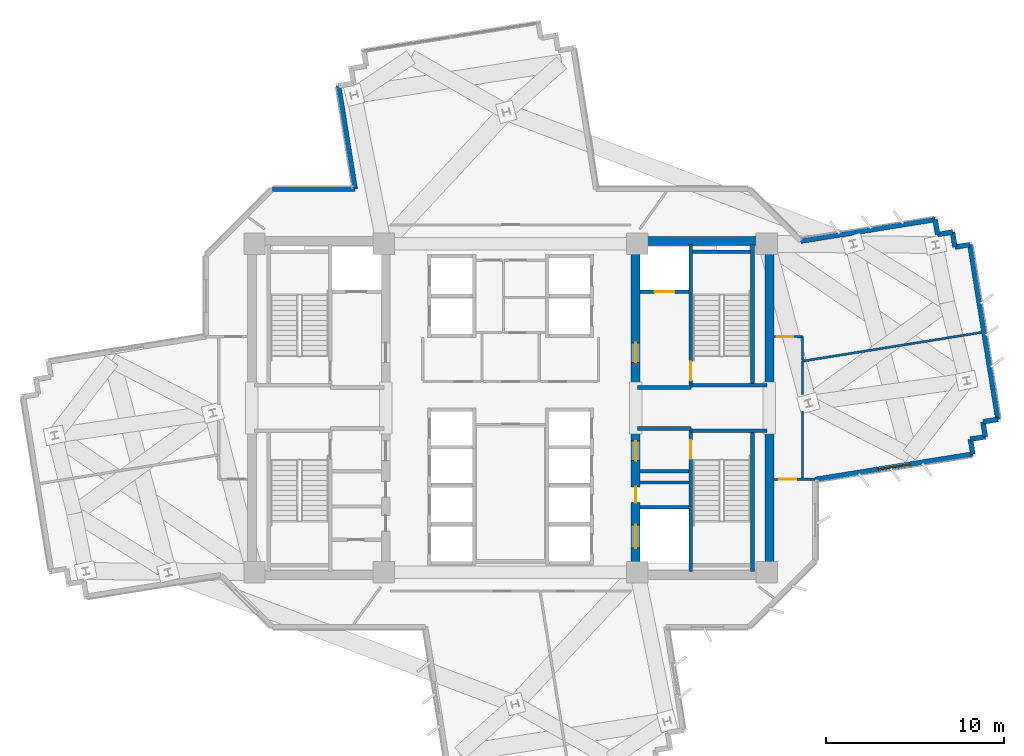
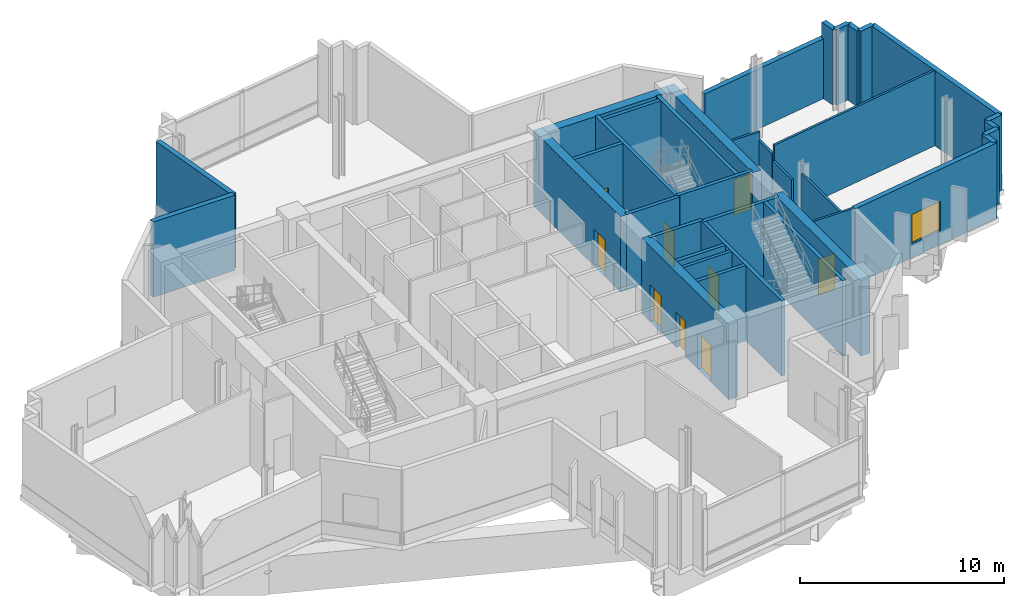
# One storey, part 8 of 12: 37 walls, 9 doors, 1 window, 10 openings.
"""IFC4 building model written with IfcOpenShell, lengths in metres."""

from ifc_helpers import new_model, si_unit, direction, frame, frame_2d, origin, place, context, subcontext, project, spatial, rectangle, extrude, source, transform, mapped, material, layer, layer_set, type_object, element, fill, save


model = new_model("IFC4")

# Units and contexts
model_context = context("Model", 3, precision=1e-05, world=origin(), true_north=direction((0.0, 1.0)))
body_context = subcontext(model_context, "Body", "Model", "MODEL_VIEW")
ifc_project = project(units=[si_unit("LENGTHUNIT", "METRE"), si_unit("AREAUNIT", "SQUARE_METRE"), si_unit("VOLUMEUNIT", "CUBIC_METRE"), si_unit("PLANEANGLEUNIT", "RADIAN"), si_unit("MASSUNIT", "GRAM", prefix="KILO")], contexts=[model_context])

# Site, building, storey
site_placement = place(None, origin())
site = spatial("IfcSite", under=ifc_project, at=site_placement, CompositionType="ELEMENT")
building_placement = place(site_placement, origin())
building = spatial("IfcBuilding", under=site, at=building_placement, Name="Zahravan Cultural Tower", CompositionType="ELEMENT")
storey_placement = place(building_placement, frame((0.0, 0.0, 130.800048828125)))
storey = spatial("IfcBuildingStorey", under=building, at=storey_placement, Name="L29", CompositionType="ELEMENT", Elevation=130.800048828125)

# Wall, openings, doors
ifc_material_1 = material(Name="Concrete C60/75", Category="concrete")
ifc_layer_1 = layer(ifc_material_1, 0.5)
ifc_layer_set_1 = layer_set([ifc_layer_1], Name="Concrete C60/75")
wall_type_1 = type_object("IfcWallType", Name="CW-SHEAR-500-C60", PredefinedType="SHEAR", material=ifc_layer_set_1)
wall_1_placement = place(storey_placement, frame((43.0, 17.39990234375, 0.0), z_axis=(0.0, 0.0, 1.0), x_axis=(0.0, 1.0, 0.0)))
wall_1 = element("IfcWall", 1, at=wall_1_placement, inside=storey, type_object=wall_type_1, Name="L29 Core Shear Wall CW-E-WS-L29", PredefinedType="SHEAR", context=body_context, shape_type="SweptSolid", body=[
    extrude(rectangle(XDim=8.550048828125, YDim=0.5, at=frame_2d((4.27490234375, 0.0))), origin(), (0.0, 0.0, 1.0), 4.52001953125),
])
opening_1_placement = place(wall_1_placement, frame((6.64990234375, 0.0, 0.0)))
opening_1 = element("IfcOpeningElement", 2, at=opening_1_placement, cuts=wall_1, Name="Opening D-L29-08", PredefinedType="OPENING", context=body_context, shape_type="SweptSolid", body=[
    extrude(rectangle(XDim=1.10009765625, YDim=2.199951171875, at=frame_2d((0.550048828125, 1.10009765625))), frame((0.0, 0.260009765625, 0.0), z_axis=(0.0, -1.0, 0.0), x_axis=(1.0, 0.0, 0.0)), (0.0, 0.0, 1.0), 0.52001953125),
])
opening_2_placement = place(wall_1_placement, frame((1.75, 0.0, 0.0)))
opening_2 = element("IfcOpeningElement", 3, at=opening_2_placement, cuts=wall_1, Name="Opening LD-L29-03", PredefinedType="OPENING", context=body_context, shape_type="SweptSolid", body=[
    extrude(rectangle(XDim=1.300048828125, YDim=2.199951171875, at=frame_2d((0.64990234375, 1.10009765625))), frame((0.0, 0.260009765625, 0.0), z_axis=(0.0, -1.0, 0.0), x_axis=(1.0, 0.0, 0.0)), (0.0, 0.0, 1.0), 0.52001953125),
])
opening_3_placement = place(wall_1_placement, frame((4.300048828125, 0.0, 0.0)))
opening_3 = element("IfcOpeningElement", 4, at=opening_3_placement, cuts=wall_1, Name="Opening D-L29-12", PredefinedType="OPENING", context=body_context, shape_type="SweptSolid", body=[
    extrude(rectangle(XDim=0.8798828125, YDim=2.10009765625, at=frame_2d((0.43994140625, 1.050048828125))), frame((0.0, 0.260009765625, 0.0), z_axis=(0.0, -1.0, 0.0), x_axis=(1.0, 0.0, 0.0)), (0.0, 0.0, 1.0), 0.52001953125),
])
ifc_material_2 = material(Name="Steel ASTM A572 Grade 50", Category="steel")
door_type_1 = type_object("IfcDoorType", Name="DR-LOBBY-1100", OperationType="NOTDEFINED", PredefinedType="DOOR", material=ifc_material_2)
shared_shape_1 = source(origin(), body_context, "Body", "SweptSolid", [
    extrude(rectangle(XDim=1.10009765625, YDim=2.199951171875, at=frame_2d((0.550048828125, 1.10009765625))), frame((0.0, 0.02490234375, 0.0), z_axis=(0.0, -1.0, 0.0), x_axis=(1.0, 0.0, 0.0)), (0.0, 0.0, 1.0), 0.050048828125),
])
door_1_placement = place(opening_1_placement, origin())
door_1 = element("IfcDoor", 5, at=door_1_placement, inside=storey, type_object=door_type_1, Name="L29 Door D-L29-08", OperationType="SINGLE_SWING_LEFT", OverallHeight=2.199951171875, OverallWidth=1.10009765625, PredefinedType="DOOR", context=body_context, shape_type="MappedRepresentation", body=[
    mapped(shared_shape_1, transform((0.0, 0.0, 0.0), x_axis=(1.0, 0.0, 0.0), y_axis=(0.0, 1.0, 0.0), z_axis=(0.0, 0.0, 1.0), scale=1.0)),
])
fill(opening_1, door_1)
door_type_2 = type_object("IfcDoorType", Name="DR-LIFT-1300", OperationType="DOUBLE_DOOR_SLIDING", PredefinedType="DOOR", material=ifc_material_2)
shared_shape_2 = source(origin(), body_context, "Body", "SweptSolid", [
    extrude(rectangle(XDim=1.300048828125, YDim=2.199951171875, at=frame_2d((0.64990234375, 1.10009765625))), frame((0.0, 0.02490234375, 0.0), z_axis=(0.0, -1.0, 0.0), x_axis=(1.0, 0.0, 0.0)), (0.0, 0.0, 1.0), 0.050048828125),
])
door_2_placement = place(opening_2_placement, origin())
door_2 = element("IfcDoor", 6, at=door_2_placement, inside=storey, type_object=door_type_2, Name="L29 Door LD-L29-03", OperationType="DOUBLE_DOOR_SLIDING", OverallHeight=2.199951171875, OverallWidth=1.300048828125, PredefinedType="DOOR", context=body_context, shape_type="MappedRepresentation", body=[
    mapped(shared_shape_2, transform((0.0, 0.0, 0.0), x_axis=(1.0, 0.0, 0.0), y_axis=(0.0, 1.0, 0.0), z_axis=(0.0, 0.0, 1.0), scale=1.0)),
])
fill(opening_2, door_2)
door_type_3 = type_object("IfcDoorType", Name="DR-SVC-880", OperationType="NOTDEFINED", PredefinedType="DOOR", material=ifc_material_2)
shared_shape_3 = source(origin(), body_context, "Body", "SweptSolid", [
    extrude(rectangle(XDim=0.8798828125, YDim=2.10009765625, at=frame_2d((0.43994140625, 1.050048828125))), frame((0.0, 0.02490234375, 0.0), z_axis=(0.0, -1.0, 0.0), x_axis=(1.0, 0.0, 0.0)), (0.0, 0.0, 1.0), 0.050048828125),
])
door_3_placement = place(opening_3_placement, origin())
door_3 = element("IfcDoor", 7, at=door_3_placement, inside=storey, type_object=door_type_3, Name="L29 Door D-L29-12", OperationType="SINGLE_SWING_LEFT", OverallHeight=2.10009765625, OverallWidth=0.8798828125, PredefinedType="DOOR", context=body_context, shape_type="MappedRepresentation", body=[
    mapped(shared_shape_3, transform((0.0, 0.0, 0.0), x_axis=(1.0, 0.0, 0.0), y_axis=(0.0, 1.0, 0.0), z_axis=(0.0, 0.0, 1.0), scale=1.0)),
])
fill(opening_3, door_3)

# Wall, opening, door
wall_2_placement = place(storey_placement, frame((43.0, 28.050048828125, 0.0), z_axis=(0.0, 0.0, 1.0), x_axis=(0.0, 1.0, 0.0)))
wall_2 = element("IfcWall", 8, at=wall_2_placement, inside=storey, type_object=wall_type_1, Name="L29 Core Shear Wall CW-E-WN-L29", PredefinedType="SHEAR", context=body_context, shape_type="SweptSolid", body=[
    extrude(rectangle(XDim=8.550048828125, YDim=0.5, at=frame_2d((4.27490234375, 0.0))), origin(), (0.0, 0.0, 1.0), 4.52001953125),
])
opening_4_placement = place(wall_2_placement, frame((1.5, 0.0, 0.0)))
opening_4 = element("IfcOpeningElement", 9, at=opening_4_placement, cuts=wall_2, Name="Opening D-L29-06", PredefinedType="OPENING", context=body_context, shape_type="SweptSolid", body=[
    extrude(rectangle(XDim=1.10009765625, YDim=2.199951171875, at=frame_2d((0.550048828125, 1.10009765625))), frame((0.0, 0.260009765625, 0.0), z_axis=(0.0, -1.0, 0.0), x_axis=(1.0, 0.0, 0.0)), (0.0, 0.0, 1.0), 0.52001953125),
])
door_4_placement = place(opening_4_placement, origin())
door_4 = element("IfcDoor", 10, at=door_4_placement, inside=storey, type_object=door_type_1, Name="L29 Door D-L29-06", OperationType="SINGLE_SWING_LEFT", OverallHeight=2.199951171875, OverallWidth=1.10009765625, PredefinedType="DOOR", context=body_context, shape_type="MappedRepresentation", body=[
    mapped(shared_shape_1, transform((0.0, 0.0, 0.0), x_axis=(1.0, 0.0, 0.0), y_axis=(0.0, 1.0, 0.0), z_axis=(0.0, 0.0, 1.0), scale=1.0)),
])
fill(opening_4, door_4)

# Wall, opening, window
ifc_material_3 = material(Name="Precast concrete C40/50", Category="concrete")
ifc_layer_2 = layer(ifc_material_3, 0.280029296875)
ifc_layer_set_2 = layer_set([ifc_layer_2], Name="Precast concrete C40/50")
wall_type_2 = type_object("IfcWallType", Name="EW-TC-280", PredefinedType="SOLIDWALL", material=ifc_layer_set_2)
wall_3_placement = place(storey_placement, frame((61.897705078125, 24.412109375, 0.0), z_axis=(0.0, 0.0, 1.0), x_axis=(-0.987358970714, -0.158500040853, 0.0)))
wall_3 = element("IfcWall", 11, at=wall_3_placement, inside=storey, type_object=wall_type_2, Name="L29 Exterior Masonry Frame Wall 11", PredefinedType="SOLIDWALL", context=body_context, shape_type="SweptSolid", body=[
    extrude(rectangle(XDim=8.95068359375, YDim=0.280029296875, at=frame_2d((4.475341796875, 0.0))), origin(), (0.0, 0.0, 1.0), 4.52001953125),
])
opening_5_placement = place(wall_3_placement, frame((3.574951171875, 0.0, 0.85009765625)))
opening_5 = element("IfcOpeningElement", 12, at=opening_5_placement, cuts=wall_3, Name="Opening WN-02", PredefinedType="OPENING", context=body_context, shape_type="SweptSolid", body=[
    extrude(rectangle(XDim=1.800048828125, YDim=1.75, at=frame_2d((0.89990234375, 0.875))), frame((0.0, 0.14990234375, 0.0), z_axis=(0.0, -1.0, 0.0), x_axis=(1.0, 0.0, 0.0)), (0.0, 0.0, 1.0), 0.300048828125),
])
ifc_material_4 = material(Name="Low-E solar-control double glazing", Category="glass")
window_type = type_object("IfcWindowType", Name="WN-REC-1800X1750", PartitioningType="DOUBLE_PANEL_VERTICAL", PredefinedType="WINDOW", material=ifc_material_4)
shared_shape_4 = source(origin(), body_context, "Body", "SweptSolid", [
    extrude(rectangle(XDim=1.800048828125, YDim=1.75, at=frame_2d((0.89990234375, 0.875))), frame((0.0, 0.030029296875, 0.0), z_axis=(0.0, -1.0, 0.0), x_axis=(1.0, 0.0, 0.0)), (0.0, 0.0, 1.0), 0.06005859375),
])
window_placement = place(opening_5_placement, origin())
window = element("IfcWindow", 13, at=window_placement, inside=storey, type_object=window_type, Name="L29 Recessed Solar Window 01", OverallHeight=1.75, OverallWidth=1.800048828125, PartitioningType="DOUBLE_PANEL_VERTICAL", PredefinedType="WINDOW", context=body_context, shape_type="MappedRepresentation", body=[
    mapped(shared_shape_4, transform((0.0, 0.0, 0.0), x_axis=(1.0, 0.0, 0.0), y_axis=(0.0, 1.0, 0.0), z_axis=(0.0, 0.0, 1.0), scale=1.0)),
])
fill(opening_5, window)

# Wall, opening, door
ifc_material_5 = material(Name="Gypsum plasterboard partition")
ifc_layer_3 = layer(ifc_material_5, 0.125)
ifc_layer_set_3 = layer_set([ifc_layer_3], Name="Gypsum plasterboard partition")
wall_type_3 = type_object("IfcWallType", Name="W-PART-125", PredefinedType="PARTITIONING", material=ifc_layer_set_3)
wall_4_placement = place(storey_placement, frame((50.7548828125, 23.000244140625, 0.0), z_axis=(0.0, 0.0, 1.0), x_axis=(0.999995920983, 0.002856224465, 0.0)))
wall_4 = element("IfcWall", 14, at=wall_4_placement, inside=storey, type_object=wall_type_3, Name="L29 Interior Wall 090", PredefinedType="PARTITIONING", context=body_context, shape_type="SweptSolid", body=[
    extrude(rectangle(XDim=2.307861328125, YDim=0.125, at=frame_2d((1.15380859375, 0.0))), origin(), (0.0, 0.0, 1.0), 4.52001953125),
])
opening_6_placement = place(wall_4_placement, frame((0.298583984375, 0.0, 0.0)))
opening_6 = element("IfcOpeningElement", 15, at=opening_6_placement, cuts=wall_4, Name="Opening D-L29-19", PredefinedType="OPENING", context=body_context, shape_type="SweptSolid", body=[
    extrude(rectangle(XDim=0.949951171875, YDim=2.14990234375, at=frame_2d((0.47509765625, 1.074951171875))), frame((0.0, 0.072509765625, 0.0), z_axis=(0.0, -1.0, 0.0), x_axis=(1.0, 0.0, 0.0)), (0.0, 0.0, 1.0), 0.14501953125),
])
ifc_material_6 = material(Name="Anodised bronze-aluminium mullion", Category="aluminium")
door_type_4 = type_object("IfcDoorType", Name="DR-ROOM-950", OperationType="NOTDEFINED", PredefinedType="DOOR", material=ifc_material_6)
shared_shape_5 = source(origin(), body_context, "Body", "SweptSolid", [
    extrude(rectangle(XDim=0.949951171875, YDim=2.14990234375, at=frame_2d((0.47509765625, 1.074951171875))), frame((0.0, 0.02490234375, 0.0), z_axis=(0.0, -1.0, 0.0), x_axis=(1.0, 0.0, 0.0)), (0.0, 0.0, 1.0), 0.050048828125),
])
door_5_placement = place(opening_6_placement, origin())
door_5 = element("IfcDoor", 16, at=door_5_placement, inside=storey, type_object=door_type_4, Name="L29 Door D-L29-19", OperationType="SINGLE_SWING_RIGHT", OverallHeight=2.14990234375, OverallWidth=0.949951171875, PredefinedType="DOOR", context=body_context, shape_type="MappedRepresentation", body=[
    mapped(shared_shape_5, transform((0.0, 0.0, 0.0), x_axis=(1.0, 0.0, 0.0), y_axis=(0.0, 1.0, 0.0), z_axis=(0.0, 0.0, 1.0), scale=1.0)),
])
fill(opening_6, door_5)

wall_5_placement = place(storey_placement, frame((52.34912109375, 30.9990234375, 0.0), z_axis=(0.0, 0.0, 1.0), x_axis=(-0.999999812387, 0.000612557312, 0.0)))
wall_5 = element("IfcWall", 17, at=wall_5_placement, inside=storey, type_object=wall_type_3, Name="L29 Interior Wall 099", PredefinedType="PARTITIONING", context=body_context, shape_type="SweptSolid", body=[
    extrude(rectangle(XDim=1.59423828125, YDim=0.125, at=frame_2d((0.797119140625, 0.0))), origin(), (0.0, 0.0, 1.0), 4.52001953125),
])
opening_7_placement = place(wall_5_placement, frame((0.502197265625, 0.0, 0.0)))
opening_7 = element("IfcOpeningElement", 18, at=opening_7_placement, cuts=wall_5, Name="Opening D-L29-20", PredefinedType="OPENING", context=body_context, shape_type="SweptSolid", body=[
    extrude(rectangle(XDim=0.949951171875, YDim=2.14990234375, at=frame_2d((0.47509765625, 1.074951171875))), frame((0.0, 0.072509765625, 0.0), z_axis=(0.0, -1.0, 0.0), x_axis=(1.0, 0.0, 0.0)), (0.0, 0.0, 1.0), 0.14501953125),
])
door_6_placement = place(opening_7_placement, origin())
door_6 = element("IfcDoor", 19, at=door_6_placement, inside=storey, type_object=door_type_4, Name="L29 Door D-L29-20", OperationType="SINGLE_SWING_LEFT", OverallHeight=2.14990234375, OverallWidth=0.949951171875, PredefinedType="DOOR", context=body_context, shape_type="MappedRepresentation", body=[
    mapped(shared_shape_5, transform((0.0, 0.0, 0.0), x_axis=(1.0, 0.0, 0.0), y_axis=(0.0, 1.0, 0.0), z_axis=(0.0, 0.0, 1.0), scale=1.0)),
])
fill(opening_7, door_6)

ifc_material_7 = material(Name="Concrete C45/55", Category="concrete")
ifc_layer_4 = layer(ifc_material_7, 0.199951171875)
ifc_layer_set_4 = layer_set([ifc_layer_4], Name="Concrete C45/55")
wall_type_4 = type_object("IfcWallType", Name="W-SHAFT-200", PredefinedType="SOLIDWALL", material=ifc_layer_set_4)
wall_6_placement = place(storey_placement, frame((46.10009765625, 17.85009765625, 0.0), z_axis=(0.0, 0.0, 1.0), x_axis=(0.0, 1.0, 0.0)))
wall_6 = element("IfcWall", 20, at=wall_6_placement, inside=storey, type_object=wall_type_4, Name="L29 Interior Wall 007", PredefinedType="SOLIDWALL", context=body_context, shape_type="SweptSolid", body=[
    extrude(rectangle(XDim=8.0, YDim=0.199951171875, at=frame_2d((4.0, 0.0))), origin(), (0.0, 0.0, 1.0), 4.52001953125),
])
opening_8_placement = place(wall_6_placement, frame((6.300048828125, 0.0, 0.0)))
opening_8 = element("IfcOpeningElement", 21, at=opening_8_placement, cuts=wall_6, Name="Opening D-L29-03", PredefinedType="OPENING", context=body_context, shape_type="SweptSolid", body=[
    extrude(rectangle(XDim=1.050048828125, YDim=2.14990234375, at=frame_2d((0.52490234375, 1.074951171875))), frame((0.0, 0.10986328125, 0.0), z_axis=(0.0, -1.0, 0.0), x_axis=(1.0, 0.0, 0.0)), (0.0, 0.0, 1.0), 0.219970703125),
])
door_type_5 = type_object("IfcDoorType", Name="DR-STAIR-1050", OperationType="NOTDEFINED", PredefinedType="DOOR", material=ifc_material_2)
shared_shape_6 = source(origin(), body_context, "Body", "SweptSolid", [
    extrude(rectangle(XDim=1.050048828125, YDim=2.14990234375, at=frame_2d((0.52490234375, 1.074951171875))), frame((0.0, 0.02490234375, 0.0), z_axis=(0.0, -1.0, 0.0), x_axis=(1.0, 0.0, 0.0)), (0.0, 0.0, 1.0), 0.050048828125),
])
door_7_placement = place(opening_8_placement, origin())
door_7 = element("IfcDoor", 22, at=door_7_placement, inside=storey, type_object=door_type_5, Name="L29 Door D-L29-03", OperationType="SINGLE_SWING_RIGHT", OverallHeight=2.14990234375, OverallWidth=1.050048828125, PredefinedType="DOOR", context=body_context, shape_type="MappedRepresentation", body=[
    mapped(shared_shape_6, transform((0.0, 0.0, 0.0), x_axis=(1.0, 0.0, 0.0), y_axis=(0.0, 1.0, 0.0), z_axis=(0.0, 0.0, 1.0), scale=1.0)),
])
fill(opening_8, door_7)

wall_7_placement = place(storey_placement, frame((46.10009765625, 28.14990234375, 0.0), z_axis=(0.0, 0.0, 1.0), x_axis=(0.0, 1.0, 0.0)))
wall_7 = element("IfcWall", 23, at=wall_7_placement, inside=storey, type_object=wall_type_4, Name="L29 Interior Wall 008", PredefinedType="SOLIDWALL", context=body_context, shape_type="SweptSolid", body=[
    extrude(rectangle(XDim=8.0, YDim=0.199951171875, at=frame_2d((4.0, 0.0))), origin(), (0.0, 0.0, 1.0), 4.52001953125),
])
opening_9_placement = place(wall_7_placement, frame((0.39990234375, 0.0, 0.0)))
opening_9 = element("IfcOpeningElement", 24, at=opening_9_placement, cuts=wall_7, Name="Opening D-L29-02", PredefinedType="OPENING", context=body_context, shape_type="SweptSolid", body=[
    extrude(rectangle(XDim=1.050048828125, YDim=2.14990234375, at=frame_2d((0.52490234375, 1.074951171875))), frame((0.0, 0.10986328125, 0.0), z_axis=(0.0, -1.0, 0.0), x_axis=(1.0, 0.0, 0.0)), (0.0, 0.0, 1.0), 0.219970703125),
])
door_8_placement = place(opening_9_placement, origin())
door_8 = element("IfcDoor", 25, at=door_8_placement, inside=storey, type_object=door_type_5, Name="L29 Door D-L29-02", OperationType="SINGLE_SWING_LEFT", OverallHeight=2.14990234375, OverallWidth=1.050048828125, PredefinedType="DOOR", context=body_context, shape_type="MappedRepresentation", body=[
    mapped(shared_shape_6, transform((0.0, 0.0, 0.0), x_axis=(1.0, 0.0, 0.0), y_axis=(0.0, 1.0, 0.0), z_axis=(0.0, 0.0, 1.0), scale=1.0)),
])
fill(opening_9, door_8)

wall_8_placement = place(storey_placement, frame((43.25, 33.52001953125, 0.0), z_axis=(0.0, 0.0, 1.0), x_axis=(1.0, 0.0, 0.0)))
wall_8 = element("IfcWall", 26, at=wall_8_placement, inside=storey, type_object=wall_type_4, Name="L29 Interior Wall 022", PredefinedType="SOLIDWALL", context=body_context, shape_type="SweptSolid", body=[
    extrude(rectangle(XDim=2.75, YDim=0.199951171875, at=frame_2d((1.375, 0.0))), origin(), (0.0, 0.0, 1.0), 4.52001953125),
])
opening_10_placement = place(wall_8_placement, frame((0.820068359375, 0.0, 0.0)))
opening_10 = element("IfcOpeningElement", 27, at=opening_10_placement, cuts=wall_8, Name="Opening LD-L29-02", PredefinedType="OPENING", context=body_context, shape_type="SweptSolid", body=[
    extrude(rectangle(XDim=1.10009765625, YDim=2.14990234375, at=frame_2d((0.550048828125, 1.074951171875))), frame((0.0, 0.10986328125, 0.0), z_axis=(0.0, -1.0, 0.0), x_axis=(1.0, 0.0, 0.0)), (0.0, 0.0, 1.0), 0.219970703125),
])
door_type_6 = type_object("IfcDoorType", Name="DR-LIFT-1100", OperationType="DOUBLE_DOOR_SLIDING", PredefinedType="DOOR", material=ifc_material_2)
shared_shape_7 = source(origin(), body_context, "Body", "SweptSolid", [
    extrude(rectangle(XDim=1.10009765625, YDim=2.14990234375, at=frame_2d((0.550048828125, 1.074951171875))), frame((0.0, 0.02490234375, 0.0), z_axis=(0.0, -1.0, 0.0), x_axis=(1.0, 0.0, 0.0)), (0.0, 0.0, 1.0), 0.050048828125),
])
door_9_placement = place(opening_10_placement, origin())
door_9 = element("IfcDoor", 28, at=door_9_placement, inside=storey, type_object=door_type_6, Name="L29 Door LD-L29-02", OperationType="DOUBLE_DOOR_SLIDING", OverallHeight=2.14990234375, OverallWidth=1.10009765625, PredefinedType="DOOR", context=body_context, shape_type="MappedRepresentation", body=[
    mapped(shared_shape_7, transform((0.0, 0.0, 0.0), x_axis=(1.0, 0.0, 0.0), y_axis=(0.0, 1.0, 0.0), z_axis=(0.0, 0.0, 1.0), scale=1.0)),
])
fill(opening_10, door_9)

# Walls
shared_shape_8 = source(origin(), body_context, "Body", "SweptSolid", [
    extrude(rectangle(XDim=8.550048828125, YDim=0.5, at=frame_2d((4.27490234375, 0.0))), origin(), (0.0, 0.0, 1.0), 4.52001953125),
])
for number, where, z_axis, x_axis, name in (
    (29, (50.5, 17.39990234375, 0.0), (0.0, 0.0, 1.0), (0.0, 1.0, 0.0), "L29 Core Shear Wall CW-E-ES-L29"),
    (30, (50.5, 28.050048828125, 0.0), (0.0, 0.0, 1.0), (0.0, 1.0, 0.0), "L29 Core Shear Wall CW-E-EN-L29"),
):
    element("IfcWall", number, at=place(storey_placement, frame(where, z_axis=z_axis, x_axis=x_axis)), inside=storey, type_object=wall_type_1, Name=name, PredefinedType="SHEAR", context=body_context, shape_type="MappedRepresentation", body=[
        mapped(shared_shape_8, transform((0.0, 0.0, 0.0), x_axis=(1.0, 0.0, 0.0), y_axis=(0.0, 1.0, 0.0), z_axis=(0.0, 0.0, 1.0), scale=1.0)),
    ])
shared_shape_9 = source(origin(), body_context, "Body", "SweptSolid", [
    extrude(rectangle(XDim=7.0, YDim=0.5, at=frame_2d((3.5, 0.0))), origin(), (0.0, 0.0, 1.0), 4.52001953125),
])
wall_9_placement = place(storey_placement, frame((43.25, 36.35009765625, 0.0), z_axis=(0.0, 0.0, 1.0), x_axis=(1.0, 0.0, 0.0)))
element("IfcWall", 31, at=wall_9_placement, inside=storey, type_object=wall_type_1, Name="L29 Core Shear Wall CW-E-N-L29", PredefinedType="SHEAR", context=body_context, shape_type="MappedRepresentation", body=[
    mapped(shared_shape_9, transform((0.0, 0.0, 0.0), x_axis=(1.0, 0.0, 0.0), y_axis=(0.0, 1.0, 0.0), z_axis=(0.0, 0.0, 1.0), scale=1.0)),
])
shared_shape_10 = source(origin(), body_context, "Body", "SweptSolid", [
    extrude(rectangle(XDim=7.634521484375, YDim=0.280029296875, at=frame_2d((3.8173828125, 0.0))), origin(), (0.0, 0.0, 1.0), 3.593017578125),
])
wall_10_placement = place(storey_placement, frame((52.248291015625, 36.353759765625, 0.0), z_axis=(0.0, 0.0, 1.0), x_axis=(0.987361485622, 0.158484373712, 0.0)))
element("IfcWall", 32, at=wall_10_placement, inside=storey, type_object=wall_type_2, Name="L29 Exterior Masonry Frame Wall 01", PredefinedType="SOLIDWALL", context=body_context, shape_type="MappedRepresentation", body=[
    mapped(shared_shape_10, transform((0.0, 0.0, 0.0), x_axis=(1.0, 0.0, 0.0), y_axis=(0.0, 1.0, 0.0), z_axis=(0.0, 0.0, 1.0), scale=1.0)),
])
shared_shape_11 = source(origin(), body_context, "Body", "SweptSolid", [
    extrude(rectangle(XDim=0.849853515625, YDim=0.280029296875, at=frame_2d((0.4248046875, 0.0))), origin(), (0.0, 0.0, 1.0), 4.52001953125),
])
for number, where, z_axis, x_axis, name in (
    (33, (59.786376953125, 37.563720703125, 0.0), (0.0, 0.0, 1.0), (0.15857308062, -0.98734724292, 0.0), "L29 Exterior Masonry Frame Wall 02"),
    (34, (59.921142578125, 36.724609375, 0.0), (0.0, 0.0, 1.0), (0.987392182174, 0.158293014948, 0.0), "L29 Exterior Masonry Frame Wall 03"),
    (35, (60.76025390625, 36.859130859375, 0.0), (0.0, 0.0, 1.0), (0.15857308062, -0.98734724292, 0.0), "L29 Exterior Masonry Frame Wall 04"),
    (36, (62.60205078125, 25.385986328125, 0.0), (0.0, 0.0, 1.0), (-0.98734724292, -0.15857308062, 0.0), "L29 Exterior Masonry Frame Wall 09"),
    (37, (61.762939453125, 25.251220703125, 0.0), (0.0, 0.0, 1.0), (0.15857308062, -0.98734724292, 0.0), "L29 Exterior Masonry Frame Wall 10"),
):
    element("IfcWall", number, at=place(storey_placement, frame(where, z_axis=z_axis, x_axis=x_axis)), inside=storey, type_object=wall_type_2, Name=name, PredefinedType="SOLIDWALL", context=body_context, shape_type="MappedRepresentation", body=[
        mapped(shared_shape_11, transform((0.0, 0.0, 0.0), x_axis=(1.0, 0.0, 0.0), y_axis=(0.0, 1.0, 0.0), z_axis=(0.0, 0.0, 1.0), scale=1.0)),
    ])
shared_shape_12 = source(origin(), body_context, "Body", "SweptSolid", [
    extrude(rectangle(XDim=0.85009765625, YDim=0.280029296875, at=frame_2d((0.425048828125, 0.0))), origin(), (0.0, 0.0, 1.0), 4.52001953125),
])
for number, where, z_axis, x_axis, name in (
    (38, (60.89501953125, 36.02001953125, 0.0), (0.0, 0.0, 1.0), (0.987354463376, 0.158528116284, 0.0), "L29 Exterior Masonry Frame Wall 05"),
    (39, (63.306640625, 26.360107421875, 0.0), (0.0, 0.0, 1.0), (-0.987354463376, -0.158528116284, 0.0), "L29 Exterior Masonry Frame Wall 07"),
    (40, (62.46728515625, 26.225341796875, 0.0), (0.0, 0.0, 1.0), (0.158528116284, -0.987354463376, 0.0), "L29 Exterior Masonry Frame Wall 08"),
):
    element("IfcWall", number, at=place(storey_placement, frame(where, z_axis=z_axis, x_axis=x_axis)), inside=storey, type_object=wall_type_2, Name=name, PredefinedType="SOLIDWALL", context=body_context, shape_type="MappedRepresentation", body=[
        mapped(shared_shape_12, transform((0.0, 0.0, 0.0), x_axis=(1.0, 0.0, 0.0), y_axis=(0.0, 1.0, 0.0), z_axis=(0.0, 0.0, 1.0), scale=1.0)),
    ])
shared_shape_13 = source(origin(), body_context, "Body", "SweptSolid", [
    extrude(rectangle(XDim=9.920166015625, YDim=0.280029296875, at=frame_2d((4.9599609375, 0.0))), origin(), (0.0, 0.0, 1.0), 4.52001953125),
])
wall_11_placement = place(storey_placement, frame((61.734375, 36.15478515625, 0.0), z_axis=(0.0, 0.0, 1.0), x_axis=(0.158493446705, -0.987360029246, 0.0)))
element("IfcWall", 41, at=wall_11_placement, inside=storey, type_object=wall_type_2, Name="L29 Exterior Masonry Frame Wall 06", PredefinedType="SOLIDWALL", context=body_context, shape_type="MappedRepresentation", body=[
    mapped(shared_shape_13, transform((0.0, 0.0, 0.0), x_axis=(1.0, 0.0, 0.0), y_axis=(0.0, 1.0, 0.0), z_axis=(0.0, 0.0, 1.0), scale=1.0)),
])
shared_shape_14 = source(origin(), body_context, "Body", "SweptSolid", [
    extrude(rectangle(XDim=4.628662109375, YDim=0.280029296875, at=frame_2d((2.314453125, 0.0))), origin(), (0.0, 0.0, 1.0), 4.52001953125),
])
wall_12_placement = place(storey_placement, frame((22.657958984375, 39.260009765625, 0.0), z_axis=(0.0, 0.0, 1.0), x_axis=(1.0, 0.0, 0.0)))
element("IfcWall", 42, at=wall_12_placement, inside=storey, type_object=wall_type_2, Name="L29 Exterior Masonry Frame Wall 40", PredefinedType="SOLIDWALL", context=body_context, shape_type="MappedRepresentation", body=[
    mapped(shared_shape_14, transform((0.0, 0.0, 0.0), x_axis=(1.0, 0.0, 0.0), y_axis=(0.0, 1.0, 0.0), z_axis=(0.0, 0.0, 1.0), scale=1.0)),
])
shared_shape_15 = source(origin(), body_context, "Body", "SweptSolid", [
    extrude(rectangle(XDim=5.8740234375, YDim=0.280029296875, at=frame_2d((2.93701171875, 0.0))), origin(), (0.0, 0.0, 1.0), 4.52001953125),
])
wall_13_placement = place(storey_placement, frame((27.28662109375, 39.260009765625, 0.0), z_axis=(0.0, 0.0, 1.0), x_axis=(-0.158478405349, 0.987362443603, 0.0)))
element("IfcWall", 43, at=wall_13_placement, inside=storey, type_object=wall_type_2, Name="L29 Exterior Masonry Frame Wall 41", PredefinedType="SOLIDWALL", context=body_context, shape_type="MappedRepresentation", body=[
    mapped(shared_shape_15, transform((0.0, 0.0, 0.0), x_axis=(1.0, 0.0, 0.0), y_axis=(0.0, 1.0, 0.0), z_axis=(0.0, 0.0, 1.0), scale=1.0)),
])
shared_shape_16 = source(origin(), body_context, "Body", "SweptSolid", [
    extrude(rectangle(XDim=7.869873046875, YDim=0.199951171875, at=frame_2d((3.93505859375, 0.0))), origin(), (0.0, 0.0, 1.0), 4.52001953125),
])
for number, where, z_axis, x_axis, name in (
    (44, (49.550048828125, 17.85009765625, 0.0), (0.0, 0.0, 1.0), (0.0, 1.0, 0.0), "L29 Interior Wall 003"),
    (45, (49.550048828125, 28.280029296875, 0.0), (0.0, 0.0, 1.0), (0.0, 1.0, 0.0), "L29 Interior Wall 004"),
):
    element("IfcWall", number, at=place(storey_placement, frame(where, z_axis=z_axis, x_axis=x_axis)), inside=storey, type_object=wall_type_4, Name=name, PredefinedType="SOLIDWALL", context=body_context, shape_type="MappedRepresentation", body=[
        mapped(shared_shape_16, transform((0.0, 0.0, 0.0), x_axis=(1.0, 0.0, 0.0), y_axis=(0.0, 1.0, 0.0), z_axis=(0.0, 0.0, 1.0), scale=1.0)),
    ])
shared_shape_17 = source(origin(), body_context, "Body", "SweptSolid", [
    extrude(rectangle(XDim=4.25, YDim=0.199951171875, at=frame_2d((2.125, 0.0))), origin(), (0.0, 0.0, 1.0), 4.52001953125),
])
for number, where, z_axis, x_axis, name in (
    (46, (46.10009765625, 25.715087890625, 0.0), (0.0, 0.0, 1.0), (1.0, 0.0, 0.0), "L29 Interior Wall 014"),
    (47, (46.10009765625, 28.284912109375, 0.0), (0.0, 0.0, 1.0), (1.0, 0.0, 0.0), "L29 Interior Wall 016"),
):
    element("IfcWall", number, at=place(storey_placement, frame(where, z_axis=z_axis, x_axis=x_axis)), inside=storey, type_object=wall_type_4, Name=name, PredefinedType="SOLIDWALL", context=body_context, shape_type="MappedRepresentation", body=[
        mapped(shared_shape_17, transform((0.0, 0.0, 0.0), x_axis=(1.0, 0.0, 0.0), y_axis=(0.0, 1.0, 0.0), z_axis=(0.0, 0.0, 1.0), scale=1.0)),
    ])
shared_shape_18 = source(origin(), body_context, "Body", "SweptSolid", [
    extrude(rectangle(XDim=3.0, YDim=0.199951171875, at=frame_2d((1.5, 0.0))), origin(), (0.0, 0.0, 1.0), 4.52001953125),
])
for number, where, z_axis, x_axis, name in (
    (48, (43.10009765625, 25.85009765625, 0.0), (0.0, 0.0, 1.0), (1.0, 0.0, 0.0), "L29 Interior Wall 013"),
    (49, (43.10009765625, 28.14990234375, 0.0), (0.0, 0.0, 1.0), (1.0, 0.0, 0.0), "L29 Interior Wall 015"),
):
    element("IfcWall", number, at=place(storey_placement, frame(where, z_axis=z_axis, x_axis=x_axis)), inside=storey, type_object=wall_type_4, Name=name, PredefinedType="SOLIDWALL", context=body_context, shape_type="MappedRepresentation", body=[
        mapped(shared_shape_18, transform((0.0, 0.0, 0.0), x_axis=(1.0, 0.0, 0.0), y_axis=(0.0, 1.0, 0.0), z_axis=(0.0, 0.0, 1.0), scale=1.0)),
    ])
shared_shape_19 = source(origin(), body_context, "Body", "SweptSolid", [
    extrude(rectangle(XDim=3.25, YDim=0.199951171875, at=frame_2d((1.625, 0.0))), origin(), (0.0, 0.0, 1.0), 4.52001953125),
])
wall_14_placement = place(storey_placement, frame((46.199951171875, 35.75, 0.0), z_axis=(0.0, 0.0, 1.0), x_axis=(1.0, 0.0, 0.0)))
element("IfcWall", 50, at=wall_14_placement, inside=storey, type_object=wall_type_4, Name="L29 Interior Wall 018", PredefinedType="SOLIDWALL", context=body_context, shape_type="MappedRepresentation", body=[
    mapped(shared_shape_19, transform((0.0, 0.0, 0.0), x_axis=(1.0, 0.0, 0.0), y_axis=(0.0, 1.0, 0.0), z_axis=(0.0, 0.0, 1.0), scale=1.0)),
])
shared_shape_20 = source(origin(), body_context, "Body", "SweptSolid", [
    extrude(rectangle(XDim=2.75, YDim=0.199951171875, at=frame_2d((1.375, 0.0))), origin(), (0.0, 0.0, 1.0), 4.52001953125),
])
for number, where, z_axis, x_axis, name in (
    (51, (43.25, 23.449951171875, 0.0), (0.0, 0.0, 1.0), (1.0, 0.0, 0.0), "L29 Interior Wall 024"),
    (52, (43.25, 21.449951171875, 0.0), (0.0, 0.0, 1.0), (1.0, 0.0, 0.0), "L29 Interior Wall 025"),
):
    element("IfcWall", number, at=place(storey_placement, frame(where, z_axis=z_axis, x_axis=x_axis)), inside=storey, type_object=wall_type_4, Name=name, PredefinedType="SOLIDWALL", context=body_context, shape_type="MappedRepresentation", body=[
        mapped(shared_shape_20, transform((0.0, 0.0, 0.0), x_axis=(1.0, 0.0, 0.0), y_axis=(0.0, 1.0, 0.0), z_axis=(0.0, 0.0, 1.0), scale=1.0)),
    ])
ifc_layer_5 = layer(ifc_material_5, 0.179931640625)
ifc_layer_set_5 = layer_set([ifc_layer_5], Name="Gypsum plasterboard partition")
wall_type_5 = type_object("IfcWallType", Name="W-COMP-180", PredefinedType="PARTITIONING", material=ifc_layer_set_5)
shared_shape_21 = source(origin(), body_context, "Body", "SweptSolid", [
    extrude(rectangle(XDim=2.75, YDim=0.179931640625, at=frame_2d((1.375, 0.0))), origin(), (0.0, 0.0, 1.0), 4.52001953125),
])
wall_15_placement = place(storey_placement, frame((43.25, 22.820068359375, 0.0), z_axis=(0.0, 0.0, 1.0), x_axis=(1.0, 0.0, 0.0)))
element("IfcWall", 53, at=wall_15_placement, inside=storey, type_object=wall_type_5, Name="L29 Interior Wall 028", PredefinedType="PARTITIONING", context=body_context, shape_type="MappedRepresentation", body=[
    mapped(shared_shape_21, transform((0.0, 0.0, 0.0), x_axis=(1.0, 0.0, 0.0), y_axis=(0.0, 1.0, 0.0), z_axis=(0.0, 0.0, 1.0), scale=1.0)),
])
shared_shape_22 = source(origin(), body_context, "Body", "SweptSolid", [
    extrude(rectangle(XDim=3.71875, YDim=0.125, at=frame_2d((1.859375, 0.0))), origin(), (0.0, 0.0, 1.0), 4.52001953125),
])
wall_16_placement = place(storey_placement, frame((52.348876953125, 23.072265625, 0.0), z_axis=(0.0, 0.0, 1.0), x_axis=(0.000328256285, 0.999999946124, 0.0)))
element("IfcWall", 54, at=wall_16_placement, inside=storey, type_object=wall_type_3, Name="L29 Interior Wall 091", PredefinedType="PARTITIONING", context=body_context, shape_type="MappedRepresentation", body=[
    mapped(shared_shape_22, transform((0.0, 0.0, 0.0), x_axis=(1.0, 0.0, 0.0), y_axis=(0.0, 1.0, 0.0), z_axis=(0.0, 0.0, 1.0), scale=1.0)),
])
shared_shape_23 = source(origin(), body_context, "Body", "SweptSolid", [
    extrude(rectangle(XDim=1.873779296875, YDim=0.125, at=frame_2d((0.93701171875, 0.0))), origin(), (0.0, 0.0, 1.0), 3.593017578125),
])
wall_17_placement = place(storey_placement, frame((52.35009765625, 27.7509765625, 0.0), z_axis=(0.0, 0.0, 1.0), x_axis=(0.0, 1.0, 0.0)))
element("IfcWall", 55, at=wall_17_placement, inside=storey, type_object=wall_type_3, Name="L29 Interior Wall 092", PredefinedType="PARTITIONING", context=body_context, shape_type="MappedRepresentation", body=[
    mapped(shared_shape_23, transform((0.0, 0.0, 0.0), x_axis=(1.0, 0.0, 0.0), y_axis=(0.0, 1.0, 0.0), z_axis=(0.0, 0.0, 1.0), scale=1.0)),
])
shared_shape_24 = source(origin(), body_context, "Body", "SweptSolid", [
    extrude(rectangle(XDim=10.155517578125, YDim=0.125, at=frame_2d((5.07763671875, 0.0))), origin(), (0.0, 0.0, 1.0), 4.52001953125),
])
wall_18_placement = place(storey_placement, frame((52.35009765625, 29.624755859375, 0.0), z_axis=(0.0, 0.0, 1.0), x_axis=(0.987359342163, 0.158497726933, 0.0)))
element("IfcWall", 56, at=wall_18_placement, inside=storey, type_object=wall_type_3, Name="L29 Interior Wall 093", PredefinedType="PARTITIONING", context=body_context, shape_type="MappedRepresentation", body=[
    mapped(shared_shape_24, transform((0.0, 0.0, 0.0), x_axis=(1.0, 0.0, 0.0), y_axis=(0.0, 1.0, 0.0), z_axis=(0.0, 0.0, 1.0), scale=1.0)),
])
shared_shape_25 = source(origin(), body_context, "Body", "SweptSolid", [
    extrude(rectangle(XDim=1.305908203125, YDim=0.125, at=frame_2d((0.65283203125, 0.0))), origin(), (0.0, 0.0, 1.0), 3.97900390625),
])
wall_19_placement = place(storey_placement, frame((52.35009765625, 29.693115234375, 0.0), z_axis=(0.0, 0.0, 1.0), x_axis=(-0.000747803119, 0.999999720395, 0.0)))
element("IfcWall", 57, at=wall_19_placement, inside=storey, type_object=wall_type_3, Name="L29 Interior Wall 101", PredefinedType="PARTITIONING", context=body_context, shape_type="MappedRepresentation", body=[
    mapped(shared_shape_25, transform((0.0, 0.0, 0.0), x_axis=(1.0, 0.0, 0.0), y_axis=(0.0, 1.0, 0.0), z_axis=(0.0, 0.0, 1.0), scale=1.0)),
])

save(model, "model.ifc")
